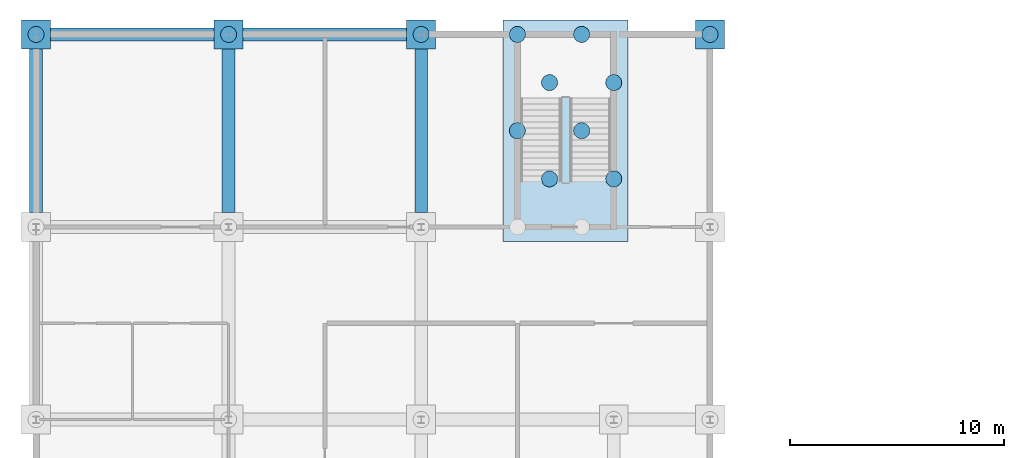
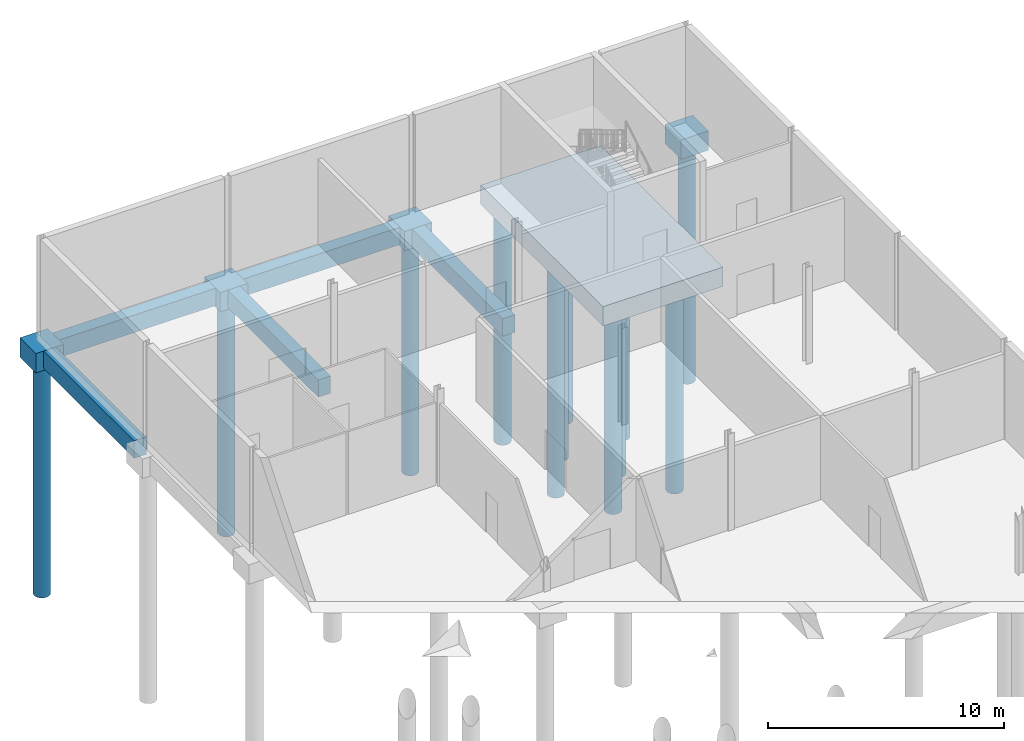
# One storey, part 4 of 25: 12 piles, 10 footings.
"""IFC4 building model written with IfcOpenShell, lengths in metres."""

from ifc_helpers import new_model, si_unit, direction, frame, origin, origin_2d, place, context, subcontext, project, spatial, polyline, circle, outline, extrude, material, material_profile, profile_set, type_object, element, save


model = new_model("IFC4")

# Units and contexts
model_context = context("Model", 3, precision=1e-05, world=origin(), true_north=direction((0.0, 1.0)))
body_context = subcontext(model_context, "Body", "Model", "MODEL_VIEW")
ifc_project = project(units=[si_unit("LENGTHUNIT", "METRE"), si_unit("AREAUNIT", "SQUARE_METRE"), si_unit("VOLUMEUNIT", "CUBIC_METRE"), si_unit("PLANEANGLEUNIT", "RADIAN"), si_unit("MASSUNIT", "GRAM", prefix="KILO")], contexts=[model_context])

# Site, building, storey
site_placement = place(None, origin())
site = spatial("IfcSite", under=ifc_project, at=site_placement, CompositionType="ELEMENT")
building_placement = place(site_placement, origin())
building = spatial("IfcBuilding", under=site, at=building_placement, Name="Hortulan Conservatory and Botanical Research Centre", CompositionType="ELEMENT")
storey_placement = place(building_placement, frame((0.0, 0.0, -5.0)))
storey = spatial("IfcBuildingStorey", under=building, at=storey_placement, Name="B1", CompositionType="ELEMENT", Elevation=-5.0)

# Piles
ifc_material = material(Name="Concrete N40 (40 MPa, AS 3600)", Category="concrete")
ifc_material_profile = material_profile(ifc_material, circle(Radius=0.375, at=origin_2d()), Name="Bored pile 750 diameter")
ifc_profile_set = profile_set([ifc_material_profile], Name="Concrete N40 (40 MPa, AS 3600)")
pile_type = type_object("IfcPileType", Name="Bored Pile 750", PredefinedType="BORED", material=ifc_profile_set)
for number, where, z_axis, x_axis, name in (
    (1, (22.5, 67.5, -1.300048828125), (0.0, 0.0, -1.0), (1.0, 0.0, 0.0), "Bored pile 750"),
    (2, (22.5, 72.0, -1.300048828125), (0.0, 0.0, -1.0), (1.0, 0.0, 0.0), "Bored pile 750"),
    (3, (24.0, 65.25, -1.300048828125), (0.0, 0.0, -1.0), (1.0, 0.0, 0.0), "Bored pile 750"),
    (4, (24.0, 69.75, -1.300048828125), (0.0, 0.0, -1.0), (1.0, 0.0, 0.0), "Bored pile 750"),
    (5, (25.5, 67.5, -1.300048828125), (0.0, 0.0, -1.0), (1.0, 0.0, 0.0), "Bored pile 750"),
    (6, (25.5, 72.0, -1.300048828125), (0.0, 0.0, -1.0), (1.0, 0.0, 0.0), "Bored pile 750"),
    (7, (27.0, 65.25, -1.300048828125), (0.0, 0.0, -1.0), (1.0, 0.0, 0.0), "Bored pile 750"),
    (8, (27.0, 69.75, -1.300048828125), (0.0, 0.0, -1.0), (1.0, 0.0, 0.0), "Bored pile 750"),
    (9, (0.0, 72.0, -1.300048828125), (0.0, 0.0, -1.0), (1.0, 0.0, 0.0), "Bored pile 750"),
    (10, (9.0, 72.0, -1.300048828125), (0.0, 0.0, -1.0), (1.0, 0.0, 0.0), "Bored pile 750"),
    (11, (18.0, 72.0, -1.300048828125), (0.0, 0.0, -1.0), (1.0, 0.0, 0.0), "Bored pile 750"),
    (12, (31.5, 72.0, -1.300048828125), (0.0, 0.0, -1.0), (1.0, 0.0, 0.0), "Bored pile 750"),
):
    element("IfcPile", number, at=place(storey_placement, frame(where, z_axis=z_axis, x_axis=x_axis)), inside=storey, type_object=pile_type, Name=name, PredefinedType="BORED", context=body_context, shape_type="SweptSolid", body=[
        extrude(circle(Radius=0.375, at=origin_2d()), origin(), (0.0, 0.0, 1.0), 12.10009765625),
    ])

# Footings
footing_type_1 = type_object("IfcFootingType", Name="Ground Beam 600x900", PredefinedType="FOOTING_BEAM", material=ifc_material)
footing_1_placement = place(storey_placement, frame((0.0, 0.0, -1.300048828125)))
element("IfcFooting", 13, at=footing_1_placement, inside=storey, type_object=footing_type_1, Name="Ground beam", PredefinedType="FOOTING_BEAM", context=body_context, shape_type="SweptSolid", body=[
    extrude(outline(polyline([(8.324951171875, 71.699951171875), (8.324951171875, 72.300048828125), (0.675048828125, 72.300048828125), (0.675048828125, 71.699951171875), (8.324951171875, 71.699951171875)])), origin(), (0.0, 0.0, 1.0), 0.900146484375),
])
footing_2_placement = place(storey_placement, frame((0.0, 0.0, -1.300048828125)))
element("IfcFooting", 14, at=footing_2_placement, inside=storey, type_object=footing_type_1, Name="Ground beam", PredefinedType="FOOTING_BEAM", context=body_context, shape_type="SweptSolid", body=[
    extrude(outline(polyline([(17.324951171875, 71.699951171875), (17.324951171875, 72.300048828125), (9.675048828125, 72.300048828125), (9.675048828125, 71.699951171875), (17.324951171875, 71.699951171875)])), origin(), (0.0, 0.0, 1.0), 0.900146484375),
])
footing_3_placement = place(storey_placement, frame((0.0, 0.0, -1.300048828125)))
element("IfcFooting", 15, at=footing_3_placement, inside=storey, type_object=footing_type_1, Name="Ground beam", PredefinedType="FOOTING_BEAM", context=body_context, shape_type="SweptSolid", body=[
    extrude(outline(polyline([(0.300048828125, 63.675048828125), (0.300048828125, 71.324951171875), (-0.300048828125, 71.324951171875), (-0.300048828125, 63.675048828125), (0.300048828125, 63.675048828125)])), origin(), (0.0, 0.0, 1.0), 0.900146484375),
])
footing_4_placement = place(storey_placement, frame((0.0, 0.0, -1.300048828125)))
element("IfcFooting", 16, at=footing_4_placement, inside=storey, type_object=footing_type_1, Name="Ground beam", PredefinedType="FOOTING_BEAM", context=body_context, shape_type="SweptSolid", body=[
    extrude(outline(polyline([(9.300048828125, 63.675048828125), (9.300048828125, 71.324951171875), (8.699951171875, 71.324951171875), (8.699951171875, 63.675048828125), (9.300048828125, 63.675048828125)])), origin(), (0.0, 0.0, 1.0), 0.900146484375),
])
footing_5_placement = place(storey_placement, frame((0.0, 0.0, -1.300048828125)))
element("IfcFooting", 17, at=footing_5_placement, inside=storey, type_object=footing_type_1, Name="Ground beam", PredefinedType="FOOTING_BEAM", context=body_context, shape_type="SweptSolid", body=[
    extrude(outline(polyline([(18.300048828125, 63.675048828125), (18.300048828125, 71.324951171875), (17.699951171875, 71.324951171875), (17.699951171875, 63.675048828125), (18.300048828125, 63.675048828125)])), origin(), (0.0, 0.0, 1.0), 0.900146484375),
])
footing_type_2 = type_object("IfcFootingType", Name="Pile Cap 1350x1350x1000", PredefinedType="PILE_CAP", material=ifc_material)
footing_6_placement = place(storey_placement, frame((0.0, 0.0, -1.39990234375)))
element("IfcFooting", 18, at=footing_6_placement, inside=storey, type_object=footing_type_2, Name="Pile cap", PredefinedType="PILE_CAP", context=body_context, shape_type="SweptSolid", body=[
    extrude(outline(polyline([(0.675048828125, 71.324951171875), (0.675048828125, 72.675048828125), (-0.675048828125, 72.675048828125), (-0.675048828125, 71.324951171875), (0.675048828125, 71.324951171875)])), origin(), (0.0, 0.0, 1.0), 1.0),
])
footing_7_placement = place(storey_placement, frame((0.0, 0.0, -1.39990234375)))
element("IfcFooting", 19, at=footing_7_placement, inside=storey, type_object=footing_type_2, Name="Pile cap", PredefinedType="PILE_CAP", context=body_context, shape_type="SweptSolid", body=[
    extrude(outline(polyline([(9.675048828125, 71.324951171875), (9.675048828125, 72.675048828125), (8.324951171875, 72.675048828125), (8.324951171875, 71.324951171875), (9.675048828125, 71.324951171875)])), origin(), (0.0, 0.0, 1.0), 1.0),
])
footing_8_placement = place(storey_placement, frame((0.0, 0.0, -1.39990234375)))
element("IfcFooting", 20, at=footing_8_placement, inside=storey, type_object=footing_type_2, Name="Pile cap", PredefinedType="PILE_CAP", context=body_context, shape_type="SweptSolid", body=[
    extrude(outline(polyline([(18.675048828125, 71.324951171875), (18.675048828125, 72.675048828125), (17.324951171875, 72.675048828125), (17.324951171875, 71.324951171875), (18.675048828125, 71.324951171875)])), origin(), (0.0, 0.0, 1.0), 1.0),
])
footing_9_placement = place(storey_placement, frame((0.0, 0.0, -1.39990234375)))
element("IfcFooting", 21, at=footing_9_placement, inside=storey, type_object=footing_type_2, Name="Pile cap", PredefinedType="PILE_CAP", context=body_context, shape_type="SweptSolid", body=[
    extrude(outline(polyline([(32.175048828125, 71.324951171875), (32.175048828125, 72.675048828125), (30.824951171875, 72.675048828125), (30.824951171875, 71.324951171875), (32.175048828125, 71.324951171875)])), origin(), (0.0, 0.0, 1.0), 1.0),
])
footing_type_3 = type_object("IfcFootingType", Name="Pile Raft 1000", PredefinedType="PILE_CAP", material=ifc_material)
footing_10_placement = place(storey_placement, frame((0.0, 0.0, -1.39990234375)))
element("IfcFooting", 22, at=footing_10_placement, inside=storey, type_object=footing_type_3, Name="Pile raft under shaft walls", PredefinedType="PILE_CAP", context=body_context, shape_type="SweptSolid", body=[
    extrude(outline(polyline([(27.675048828125, 62.324951171875), (27.675048828125, 72.675048828125), (21.824951171875, 72.675048828125), (21.824951171875, 62.324951171875), (27.675048828125, 62.324951171875)])), origin(), (0.0, 0.0, 1.0), 1.0),
])

save(model, "model.ifc")
